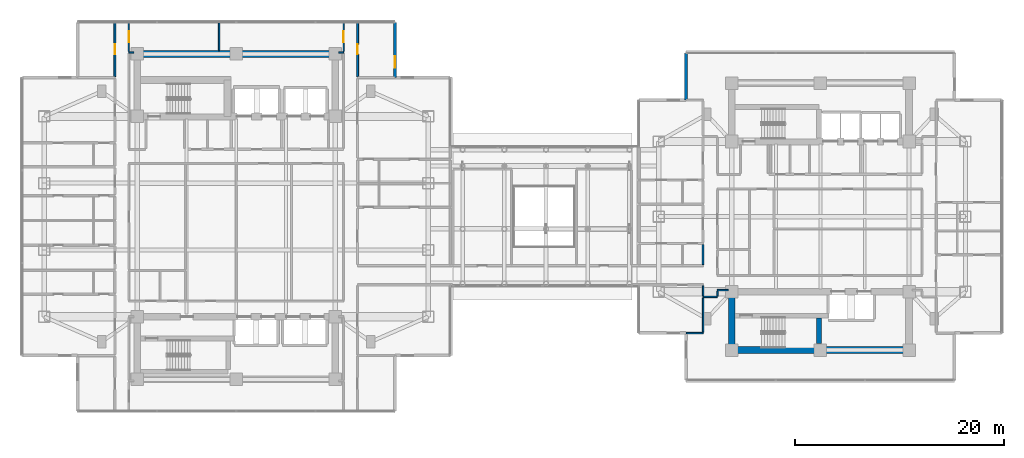
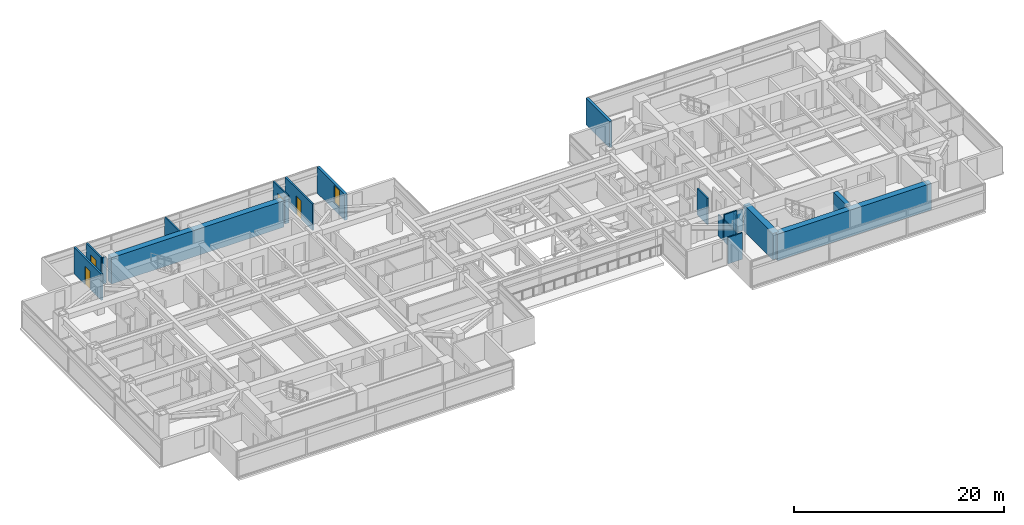
# One storey, part 19 of 28: 20 walls, 4 doors, 1 window, 5 openings.
"""IFC4 building model written with IfcOpenShell, lengths in metres."""

from ifc_helpers import new_model, si_unit, direction, frame, frame_2d, origin, place, context, subcontext, project, spatial, rectangle, extrude, material, layer, layer_set, type_object, element, fill, save


model = new_model("IFC4")

# Units and contexts
model_context = context("Model", 3, precision=1e-05, world=origin(), true_north=direction((0.0, 1.0)))
body_context = subcontext(model_context, "Body", "Model", "MODEL_VIEW")
ifc_project = project(units=[si_unit("LENGTHUNIT", "METRE"), si_unit("AREAUNIT", "SQUARE_METRE"), si_unit("VOLUMEUNIT", "CUBIC_METRE"), si_unit("PLANEANGLEUNIT", "RADIAN"), si_unit("MASSUNIT", "GRAM", prefix="KILO")], contexts=[model_context])

# Site, building, storey
site_placement = place(None, origin())
site = spatial("IfcSite", under=ifc_project, at=site_placement, CompositionType="ELEMENT")
building_placement = place(site_placement, origin())
building = spatial("IfcBuilding", under=site, at=building_placement, Name="Mirazonda Arch Towers", CompositionType="ELEMENT")
storey_placement = place(building_placement, frame((0.0, 0.0, 91.699951171875)))
storey = spatial("IfcBuildingStorey", under=building, at=storey_placement, Name="L25", CompositionType="ELEMENT", Elevation=91.699951171875)

# Walls
ifc_material_1 = material(Name="Concrete C50/60", Category="concrete")
ifc_layer_1 = layer(ifc_material_1, 0.449951171875, Name="WALL-CORE-450")
ifc_layer_set_1 = layer_set([ifc_layer_1], Name="Concrete C50/60")
wall_type_1 = type_object("IfcWallType", Name="WALL-CORE-450", PredefinedType="SHEAR", material=ifc_layer_set_1)
wall_1_placement = place(storey_placement, frame((76.360107421875, 15.81494140625, 0.0), z_axis=(0.0, 0.0, 1.0), x_axis=(0.0, 1.0, 0.0)))
element("IfcWall", 1, at=wall_1_placement, inside=storey, type_object=wall_type_1, Name="L25 Stair Core Shear Wall 155", PredefinedType="SHEAR", context=body_context, shape_type="SweptSolid", body=[
    extrude(rectangle(XDim=2.449951171875, YDim=0.449951171875, at=frame_2d((1.22509765625, 0.0))), origin(), (0.0, 0.0, 1.0), 3.080078125),
])
ifc_material_2 = material(Name="Concrete C60/75", Category="concrete")
ifc_layer_2 = layer(ifc_material_2, 0.64990234375, Name="WALL-CORE-650")
ifc_layer_set_2 = layer_set([ifc_layer_2], Name="Concrete C60/75")
wall_type_2 = type_object("IfcWallType", Name="WALL-CORE-650", PredefinedType="SHEAR", material=ifc_layer_set_2)
wall_2_placement = place(storey_placement, frame((11.0, 43.60009765625, 0.0), z_axis=(0.0, 0.0, 1.0), x_axis=(1.0, 0.0, 0.0)))
element("IfcWall", 2, at=wall_2_placement, inside=storey, type_object=wall_type_2, Name="L25 T1N-N Core Shear Wall", PredefinedType="SHEAR", context=body_context, shape_type="SweptSolid", body=[
    extrude(rectangle(XDim=19.0, YDim=0.64990234375, at=frame_2d((9.5, 0.0))), origin(), (0.0, 0.0, 1.0), 3.080078125),
])
wall_3_placement = place(storey_placement, frame((68.0, 15.199951171875, 0.0), z_axis=(0.0, 0.0, 1.0), x_axis=(1.0, 0.0, 0.0)))
element("IfcWall", 3, at=wall_3_placement, inside=storey, type_object=wall_type_2, Name="L25 T2S-S Core Shear Wall", PredefinedType="SHEAR", context=body_context, shape_type="SweptSolid", body=[
    extrude(rectangle(XDim=17.0, YDim=0.64990234375, at=frame_2d((8.5, 0.0))), origin(), (0.0, 0.0, 1.0), 3.080078125),
])
wall_4_placement = place(storey_placement, frame((68.0, 15.199951171875, 0.0), z_axis=(0.0, 0.0, 1.0), x_axis=(0.0, 1.0, 0.0)))
element("IfcWall", 4, at=wall_4_placement, inside=storey, type_object=wall_type_2, Name="L25 T2S-W Core Shear Wall", PredefinedType="SHEAR", context=body_context, shape_type="SweptSolid", body=[
    extrude(rectangle(XDim=5.60009765625, YDim=0.64990234375, at=frame_2d((2.800048828125, 0.0))), origin(), (0.0, 0.0, 1.0), 3.080078125),
])

# Wall, opening, window
ifc_material_3 = material(Name="Precast Concrete C40/50", Category="concrete")
ifc_layer_3 = layer(ifc_material_3, 0.280029296875, Name="WALL-EXT-WALL-280")
ifc_layer_set_3 = layer_set([ifc_layer_3], Name="Precast Concrete C40/50")
wall_type_3 = type_object("IfcWallType", Name="WALL-EXT-WALL-280", PredefinedType="SOLIDWALL", material=ifc_layer_set_3)
wall_5_placement = place(storey_placement, frame((35.705078125, 41.322998046875, 0.0), z_axis=(0.0, 0.0, 1.0), x_axis=(0.0, 1.0, 0.0)))
wall_5 = element("IfcWall", 5, at=wall_5_placement, inside=storey, type_object=wall_type_3, Name="L25 T1 Notched NE Corner Wall WL-L25-T1-CNE", PredefinedType="SOLIDWALL", context=body_context, shape_type="SweptSolid", body=[
    extrude(rectangle(XDim=5.304931640625, YDim=0.280029296875, at=frame_2d((2.65234375, 0.0))), origin(), (0.0, 0.0, 1.0), 3.06005859375),
])
opening_1_placement = place(wall_5_placement, frame((0.949951171875, 0.0, 0.85009765625)))
opening_1 = element("IfcOpeningElement", 6, at=opening_1_placement, cuts=wall_5, Name="Opening WN-108", PredefinedType="OPENING", context=body_context, shape_type="SweptSolid", body=[
    extrude(rectangle(XDim=1.10009765625, YDim=2.0, at=frame_2d((0.550048828125, 1.0))), frame((0.0, 0.14990234375, 0.0), z_axis=(0.0, -1.0, 0.0), x_axis=(1.0, 0.0, 0.0)), (0.0, 0.0, 1.0), 0.300048828125),
])
ifc_material_4 = material(Name="Insulated Low-E Solar Glass", Category="glass")
window_type = type_object("IfcWindowType", Name="WIN-NOTCH-1100x2000", PartitioningType="SINGLE_PANEL", PredefinedType="WINDOW", material=ifc_material_4)
window_placement = place(opening_1_placement, origin())
window = element("IfcWindow", 7, at=window_placement, inside=storey, type_object=window_type, Name="L25 Punched Facade Window WN-L25-T1-CNE", OverallHeight=2.0, OverallWidth=1.10009765625, PartitioningType="SINGLE_PANEL", PredefinedType="WINDOW", context=body_context, shape_type="SweptSolid", body=[
    extrude(rectangle(XDim=1.10009765625, YDim=2.0, at=frame_2d((0.550048828125, 1.0))), frame((0.0, 0.030029296875, 0.0), z_axis=(0.0, -1.0, 0.0), x_axis=(1.0, 0.0, 0.0)), (0.0, 0.0, 1.0), 0.06005859375),
])
fill(opening_1, window)

# Walls
wall_6_placement = place(storey_placement, frame((63.6357421875, 43.680908203125, 0.0), z_axis=(0.0, 0.0, 1.0), x_axis=(0.0, -1.0, 0.0)))
element("IfcWall", 8, at=wall_6_placement, inside=storey, type_object=wall_type_3, Name="L25 T2 Corner Notch Return Wall WL-L25-T2-CNW2", PredefinedType="SOLIDWALL", context=body_context, shape_type="SweptSolid", body=[
    extrude(rectangle(XDim=4.516357421875, YDim=0.280029296875, at=frame_2d((2.25830078125, 0.0))), origin(), (0.0, 0.0, 1.0), 3.06005859375),
])
ifc_material_5 = material(Name="Fire-Rated Gypsum Stud Partition")
ifc_layer_4 = layer(ifc_material_5, 0.14990234375, Name="WALL-PART-CORR-150")
ifc_layer_set_4 = layer_set([ifc_layer_4], Name="Fire-Rated Gypsum Stud Partition")
wall_type_4 = type_object("IfcWallType", Name="WALL-PART-CORR-150", PredefinedType="PARTITIONING", material=ifc_layer_set_4)
wall_7_placement = place(storey_placement, frame((63.65576171875, 16.8349609375, 0.0), z_axis=(0.0, 0.0, 1.0), x_axis=(1.0, 0.0, 0.0)))
element("IfcWall", 9, at=wall_7_placement, inside=storey, type_object=wall_type_4, Name="L25 Interior Partition 009", PredefinedType="PARTITIONING", context=body_context, shape_type="SweptSolid", body=[
    extrude(rectangle(XDim=1.59423828125, YDim=0.14990234375, at=frame_2d((0.797119140625, 0.0))), origin(), (0.0, 0.0, 1.0), 3.080078125),
])
wall_8_placement = place(storey_placement, frame((65.25, 20.300048828125, 0.0), z_axis=(0.0, 0.0, 1.0), x_axis=(1.0, 0.0, 0.0)))
element("IfcWall", 10, at=wall_8_placement, inside=storey, type_object=wall_type_4, Name="L25 Interior Partition 016", PredefinedType="PARTITIONING", context=body_context, shape_type="SweptSolid", body=[
    extrude(rectangle(XDim=1.3701171875, YDim=0.14990234375, at=frame_2d((0.68505859375, 0.0))), origin(), (0.0, 0.0, 1.0), 3.080078125),
])
wall_9_placement = place(storey_placement, frame((66.6201171875, 20.949951171875, 0.0), z_axis=(0.0, 0.0, 1.0), x_axis=(1.0, 0.0, 0.0)))
element("IfcWall", 11, at=wall_9_placement, inside=storey, type_object=wall_type_4, Name="L25 Interior Partition 019", PredefinedType="PARTITIONING", context=body_context, shape_type="SweptSolid", body=[
    extrude(rectangle(XDim=1.059814453125, YDim=0.14990234375, at=frame_2d((0.52978515625, 0.0))), origin(), (0.0, 0.0, 1.0), 2.47216796875),
])
for number, where, z_axis, x_axis, name in (
    (12, (10.199951171875, 43.75, 0.0), (0.0, 0.0, 1.0), (1.0, 0.0, 0.0), "L25 Interior Partition 063"),
    (13, (30.320068359375, 43.75, 0.0), (0.0, 0.0, 1.0), (1.0, 0.0, 0.0), "L25 Interior Partition 064"),
):
    element("IfcWall", number, at=place(storey_placement, frame(where, z_axis=z_axis, x_axis=x_axis)), inside=storey, type_object=wall_type_4, Name=name, PredefinedType="PARTITIONING", context=body_context, shape_type="SweptSolid", body=[
        extrude(rectangle(XDim=0.47998046875, YDim=0.14990234375, at=frame_2d((0.239990234375, 0.0))), origin(), (0.0, 0.0, 1.0), 3.080078125),
    ])

# Wall, opening, door
wall_10_placement = place(storey_placement, frame((10.199951171875, 43.8349609375, 0.0), z_axis=(0.0, 0.0, 1.0), x_axis=(0.0, 1.0, 0.0)))
wall_10 = element("IfcWall", 14, at=wall_10_placement, inside=storey, type_object=wall_type_4, Name="L25 Interior Partition 084", PredefinedType="PARTITIONING", context=body_context, shape_type="SweptSolid", body=[
    extrude(rectangle(XDim=2.79296875, YDim=0.14990234375, at=frame_2d((1.396484375, 0.0))), origin(), (0.0, 0.0, 1.0), 3.080078125),
])
opening_2_placement = place(wall_10_placement, frame((0.87158203125, 0.0, 0.0)))
opening_2 = element("IfcOpeningElement", 15, at=opening_2_placement, cuts=wall_10, Name="Opening DR-121", PredefinedType="OPENING", context=body_context, shape_type="SweptSolid", body=[
    extrude(rectangle(XDim=1.050048828125, YDim=2.199951171875, at=frame_2d((0.52490234375, 1.10009765625))), frame((0.0, 0.0849609375, 0.0), z_axis=(0.0, -1.0, 0.0), x_axis=(1.0, 0.0, 0.0)), (0.0, 0.0, 1.0), 0.169921875),
])
ifc_material_6 = material(Name="Architectural Brushed Steel S355", Category="steel")
door_type_1 = type_object("IfcDoorType", Name="DOOR-SUITE-FD60-1050", OperationType="NOTDEFINED", PredefinedType="DOOR", material=ifc_material_6)
door_1_placement = place(opening_2_placement, origin())
door_1 = element("IfcDoor", 16, at=door_1_placement, inside=storey, type_object=door_type_1, Name="L25 North Reading Salon West Door", OperationType="SINGLE_SWING_RIGHT", OverallHeight=2.199951171875, OverallWidth=1.050048828125, PredefinedType="DOOR", context=body_context, shape_type="SweptSolid", body=[
    extrude(rectangle(XDim=1.050048828125, YDim=2.199951171875, at=frame_2d((0.52490234375, 1.10009765625))), frame((0.0, 0.02490234375, 0.0), z_axis=(0.0, -1.0, 0.0), x_axis=(1.0, 0.0, 0.0)), (0.0, 0.0, 1.0), 0.050048828125),
])
fill(opening_2, door_1)

# Wall
wall_11_placement = place(storey_placement, frame((18.85205078125, 43.919921875, 0.0), z_axis=(0.0, 0.0, 1.0), x_axis=(0.0, 1.0, 0.0)))
element("IfcWall", 17, at=wall_11_placement, inside=storey, type_object=wall_type_4, Name="L25 Interior Partition 091", PredefinedType="PARTITIONING", context=body_context, shape_type="SweptSolid", body=[
    extrude(rectangle(XDim=2.7080078125, YDim=0.14990234375, at=frame_2d((1.35400390625, 0.0))), origin(), (0.0, 0.0, 1.0), 3.080078125),
])

# Wall, opening, door
wall_12_placement = place(storey_placement, frame((30.800048828125, 43.8349609375, 0.0), z_axis=(0.0, 0.0, 1.0), x_axis=(0.0, 1.0, 0.0)))
wall_12 = element("IfcWall", 18, at=wall_12_placement, inside=storey, type_object=wall_type_4, Name="L25 Interior Partition 111", PredefinedType="PARTITIONING", context=body_context, shape_type="SweptSolid", body=[
    extrude(rectangle(XDim=2.79296875, YDim=0.14990234375, at=frame_2d((1.396484375, 0.0))), origin(), (0.0, 0.0, 1.0), 3.080078125),
])
opening_3_placement = place(wall_12_placement, frame((0.87158203125, 0.0, 0.0)))
opening_3 = element("IfcOpeningElement", 19, at=opening_3_placement, cuts=wall_12, Name="Opening DR-121", PredefinedType="OPENING", context=body_context, shape_type="SweptSolid", body=[
    extrude(rectangle(XDim=1.050048828125, YDim=2.199951171875, at=frame_2d((0.52490234375, 1.10009765625))), frame((0.0, 0.0849609375, 0.0), z_axis=(0.0, -1.0, 0.0), x_axis=(1.0, 0.0, 0.0)), (0.0, 0.0, 1.0), 0.169921875),
])
door_2_placement = place(opening_3_placement, origin())
door_2 = element("IfcDoor", 20, at=door_2_placement, inside=storey, type_object=door_type_1, Name="L25 North Reading Salon East Door", OperationType="SINGLE_SWING_LEFT", OverallHeight=2.199951171875, OverallWidth=1.050048828125, PredefinedType="DOOR", context=body_context, shape_type="SweptSolid", body=[
    extrude(rectangle(XDim=1.050048828125, YDim=2.199951171875, at=frame_2d((0.52490234375, 1.10009765625))), frame((0.0, 0.02490234375, 0.0), z_axis=(0.0, -1.0, 0.0), x_axis=(1.0, 0.0, 0.0)), (0.0, 0.0, 1.0), 0.050048828125),
])
fill(opening_3, door_2)

# Walls
wall_13_placement = place(storey_placement, frame((65.25, 16.919921875, 0.0), z_axis=(0.0, 0.0, 1.0), x_axis=(0.0, 1.0, 0.0)))
element("IfcWall", 21, at=wall_13_placement, inside=storey, type_object=wall_type_4, Name="L25 Interior Partition 135", PredefinedType="PARTITIONING", context=body_context, shape_type="SweptSolid", body=[
    extrude(rectangle(XDim=3.295166015625, YDim=0.14990234375, at=frame_2d((1.6474609375, 0.0))), origin(), (0.0, 0.0, 1.0), 2.4560546875),
])
wall_14_placement = place(storey_placement, frame((65.25, 20.385009765625, 0.0), z_axis=(0.0, 0.0, 1.0), x_axis=(0.0, 1.0, 0.0)))
element("IfcWall", 22, at=wall_14_placement, inside=storey, type_object=wall_type_4, Name="L25 Interior Partition 136", PredefinedType="PARTITIONING", context=body_context, shape_type="SweptSolid", body=[
    extrude(rectangle(XDim=0.965087890625, YDim=0.14990234375, at=frame_2d((0.482421875, 0.0))), origin(), (0.0, 0.0, 1.0), 2.47216796875),
])
wall_15_placement = place(storey_placement, frame((66.6201171875, 20.385009765625, 0.0), z_axis=(0.0, 0.0, 1.0), x_axis=(0.0, 1.0, 0.0)))
element("IfcWall", 23, at=wall_15_placement, inside=storey, type_object=wall_type_4, Name="L25 Interior Partition 142", PredefinedType="PARTITIONING", context=body_context, shape_type="SweptSolid", body=[
    extrude(rectangle(XDim=0.47998046875, YDim=0.14990234375, at=frame_2d((0.239990234375, 0.0))), origin(), (0.0, 0.0, 1.0), 2.47216796875),
])

# Wall, opening, door
ifc_material_7 = material(Name="Fire-Rated Gypsum Twin-Stud Assembly")
ifc_layer_5 = layer(ifc_material_7, 0.179931640625, Name="WALL-PART-DEMISE-180")
ifc_layer_set_5 = layer_set([ifc_layer_5], Name="Fire-Rated Gypsum Twin-Stud Assembly")
wall_type_5 = type_object("IfcWallType", Name="WALL-PART-DEMISE-180", PredefinedType="PARTITIONING", material=ifc_layer_set_5)
wall_16_placement = place(storey_placement, frame((8.860107421875, 41.423095703125, 0.0), z_axis=(0.0, 0.0, 1.0), x_axis=(0.0, 1.0, 0.0)))
wall_16 = element("IfcWall", 24, at=wall_16_placement, inside=storey, type_object=wall_type_5, Name="L25 Interior Partition 078", PredefinedType="PARTITIONING", context=body_context, shape_type="SweptSolid", body=[
    extrude(rectangle(XDim=5.204833984375, YDim=0.179931640625, at=frame_2d((2.6025390625, 0.0))), origin(), (0.0, 0.0, 1.0), 3.080078125),
])
opening_4_placement = place(wall_16_placement, frame((2.12744140625, 0.0, 0.0)))
opening_4 = element("IfcOpeningElement", 25, at=opening_4_placement, cuts=wall_16, Name="Opening DR-104", PredefinedType="OPENING", context=body_context, shape_type="SweptSolid", body=[
    extrude(rectangle(XDim=0.949951171875, YDim=2.14990234375, at=frame_2d((0.47509765625, 1.074951171875))), frame((0.0, 0.099853515625, 0.0), z_axis=(0.0, -1.0, 0.0), x_axis=(1.0, 0.0, 0.0)), (0.0, 0.0, 1.0), 0.199951171875),
])
door_type_2 = type_object("IfcDoorType", Name="DOOR-ROOM-950", OperationType="NOTDEFINED", PredefinedType="DOOR", material=ifc_material_6)
door_3_placement = place(opening_4_placement, origin())
door_3 = element("IfcDoor", 26, at=door_3_placement, inside=storey, type_object=door_type_2, Name="L25 North Reading Salon Alcove West Door", OperationType="SINGLE_SWING_RIGHT", OverallHeight=2.14990234375, OverallWidth=0.949951171875, PredefinedType="DOOR", context=body_context, shape_type="SweptSolid", body=[
    extrude(rectangle(XDim=0.949951171875, YDim=2.14990234375, at=frame_2d((0.47509765625, 1.074951171875))), frame((0.0, 0.02490234375, 0.0), z_axis=(0.0, -1.0, 0.0), x_axis=(1.0, 0.0, 0.0)), (0.0, 0.0, 1.0), 0.050048828125),
])
fill(opening_4, door_3)

wall_17_placement = place(storey_placement, frame((32.139892578125, 41.423095703125, 0.0), z_axis=(0.0, 0.0, 1.0), x_axis=(0.0, 1.0, 0.0)))
wall_17 = element("IfcWall", 27, at=wall_17_placement, inside=storey, type_object=wall_type_5, Name="L25 Interior Partition 118", PredefinedType="PARTITIONING", context=body_context, shape_type="SweptSolid", body=[
    extrude(rectangle(XDim=5.204833984375, YDim=0.179931640625, at=frame_2d((2.6025390625, 0.0))), origin(), (0.0, 0.0, 1.0), 3.080078125),
])
opening_5_placement = place(wall_17_placement, frame((2.12744140625, 0.0, 0.0)))
opening_5 = element("IfcOpeningElement", 28, at=opening_5_placement, cuts=wall_17, Name="Opening DR-104", PredefinedType="OPENING", context=body_context, shape_type="SweptSolid", body=[
    extrude(rectangle(XDim=0.949951171875, YDim=2.14990234375, at=frame_2d((0.47509765625, 1.074951171875))), frame((0.0, 0.099853515625, 0.0), z_axis=(0.0, -1.0, 0.0), x_axis=(1.0, 0.0, 0.0)), (0.0, 0.0, 1.0), 0.199951171875),
])
door_4_placement = place(opening_5_placement, origin())
door_4 = element("IfcDoor", 29, at=door_4_placement, inside=storey, type_object=door_type_2, Name="L25 North Reading Salon Alcove East Door", OperationType="SINGLE_SWING_LEFT", OverallHeight=2.14990234375, OverallWidth=0.949951171875, PredefinedType="DOOR", context=body_context, shape_type="SweptSolid", body=[
    extrude(rectangle(XDim=0.949951171875, YDim=2.14990234375, at=frame_2d((0.47509765625, 1.074951171875))), frame((0.0, 0.02490234375, 0.0), z_axis=(0.0, -1.0, 0.0), x_axis=(1.0, 0.0, 0.0)), (0.0, 0.0, 1.0), 0.050048828125),
])
fill(opening_5, door_4)

# Wall
wall_18_placement = place(storey_placement, frame((65.25, 23.39990234375, 0.0), z_axis=(0.0, 0.0, 1.0), x_axis=(0.0, 1.0, 0.0)))
element("IfcWall", 30, at=wall_18_placement, inside=storey, type_object=wall_type_5, Name="L25 Interior Partition 137", PredefinedType="PARTITIONING", context=body_context, shape_type="SweptSolid", body=[
    extrude(rectangle(XDim=1.924072265625, YDim=0.179931640625, at=frame_2d((0.9619140625, 0.0))), origin(), (0.0, 0.0, 1.0), 3.080078125),
])

save(model, "model.ifc")
